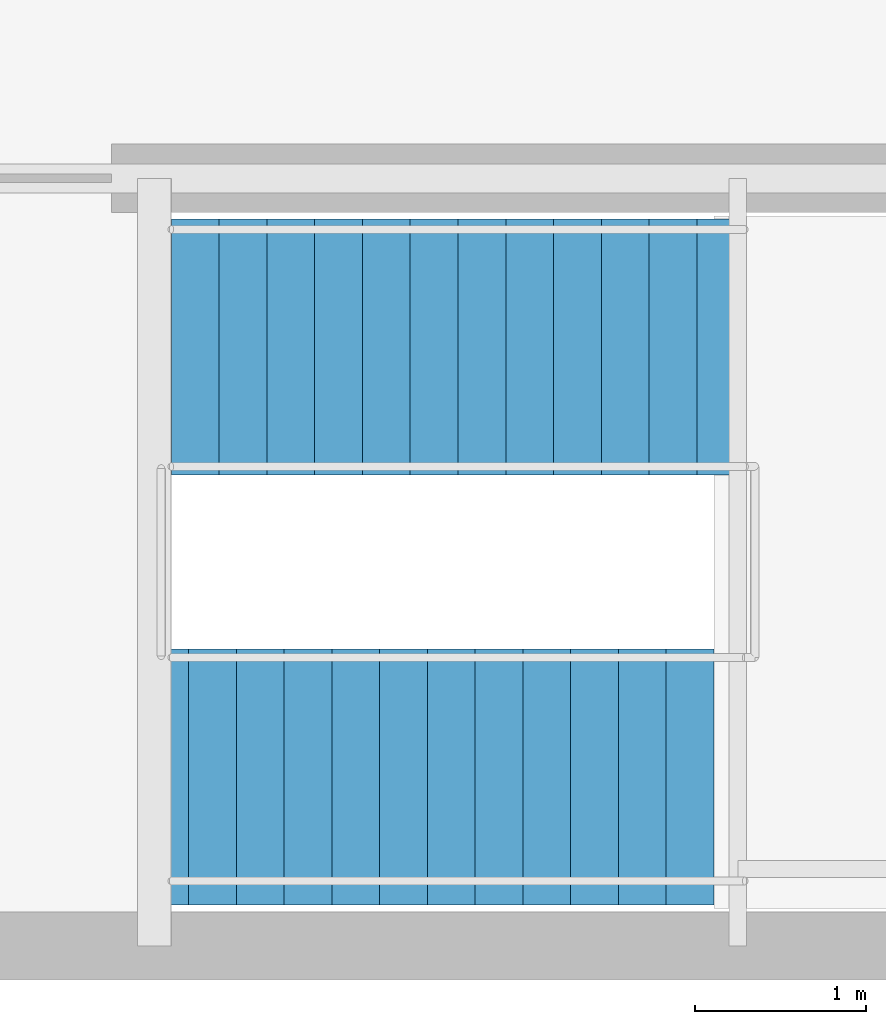
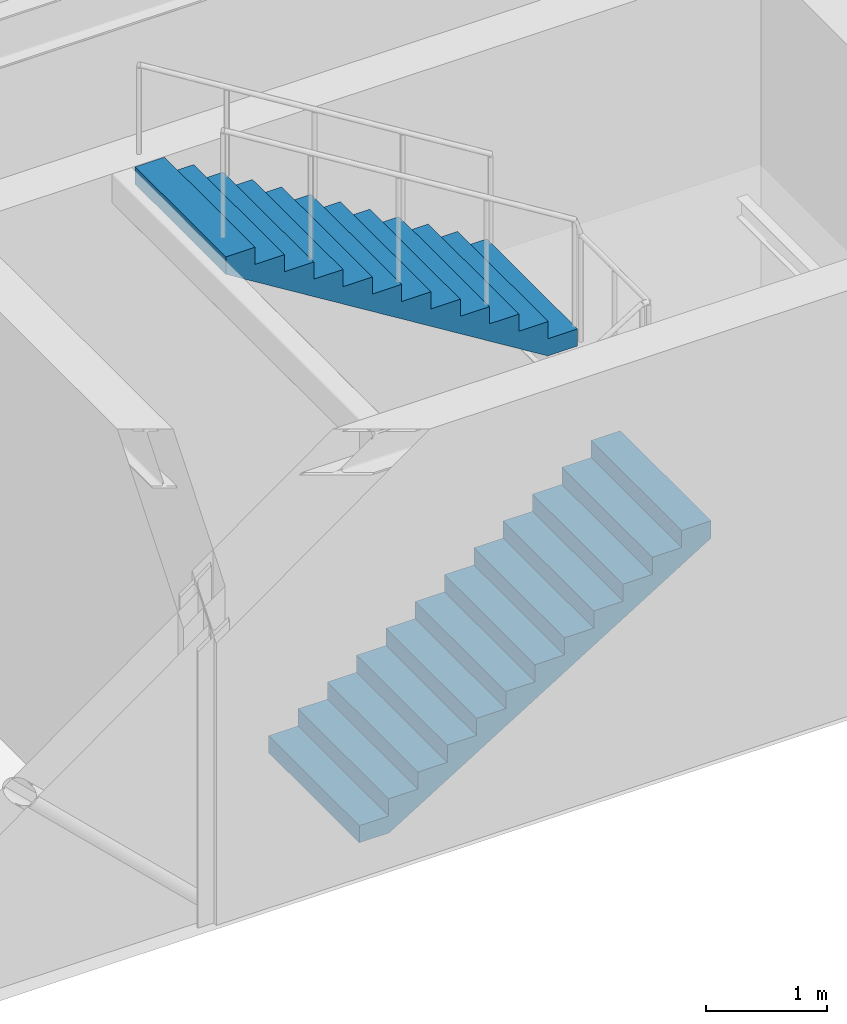
# One storey, part 11 of 12: 2 stair flights, 1 element without a shape of its own.
"""IFC4 building model written with IfcOpenShell, lengths in metres."""

from ifc_helpers import new_model, si_unit, direction, frame, origin, place, context, subcontext, project, spatial, polyline, outline, extrude, material, type_object, element, aggregate, save


model = new_model("IFC4")

# Units and contexts
model_context = context("Model", 3, precision=1e-05, world=origin(), true_north=direction((0.0, 1.0)))
body_context = subcontext(model_context, "Body", "Model", "MODEL_VIEW")
ifc_project = project(units=[si_unit("LENGTHUNIT", "METRE"), si_unit("AREAUNIT", "SQUARE_METRE"), si_unit("VOLUMEUNIT", "CUBIC_METRE"), si_unit("PLANEANGLEUNIT", "RADIAN"), si_unit("MASSUNIT", "GRAM", prefix="KILO")], contexts=[model_context])

# Site, building, storey
site_placement = place(None, origin())
site = spatial("IfcSite", under=ifc_project, at=site_placement, CompositionType="ELEMENT")
building_placement = place(site_placement, origin())
building = spatial("IfcBuilding", under=site, at=building_placement, Name="Shalkamar Park Central Library", CompositionType="ELEMENT")
storey_placement = place(building_placement, frame((0.0, 0.0, 67.800048828125)))
storey = spatial("IfcBuildingStorey", under=building, at=storey_placement, Name="L17", CompositionType="ELEMENT", Elevation=67.800048828125)

# Stair, stair flights
ifc_material = material(Name="Concrete C35/45", Category="concrete")
stair_type = type_object("IfcStairType", Name="Protected Dog Leg Stair 150x450", PredefinedType="TWO_STRAIGHT_RUN_STAIR", material=ifc_material)
stair_placement = place(storey_placement, origin())
stair = element("IfcStair", 1, at=stair_placement, inside=storey, type_object=stair_type, Name="Protected Core Stair ST-T2-L17", PredefinedType="TWO_STRAIGHT_RUN_STAIR")
stair_flight_type = type_object("IfcStairFlightType", Name="Straight Stair Flight 150x450", PredefinedType="STRAIGHT", material=ifc_material)
stair_flight_1_placement = place(storey_placement, frame((198.6201171875, 249.389892578125, 0.0), z_axis=(0.0, 0.0, 1.0), x_axis=(1.0, 0.0, 0.0)))
stair_flight_1 = element("IfcStairFlight", 2, at=stair_flight_1_placement, type_object=stair_flight_type, Name="ST-T2-L17 flight 1", NumberOfRisers=13, NumberOfTreads=12, PredefinedType="STRAIGHT", RiserHeight=0.173077, TreadLength=0.28, context=body_context, shape_type="SweptSolid", body=[
    extrude(outline(polyline([(0.0, 0.0), (0.0, 0.173095703125), (0.280029296875, 0.173095703125), (0.280029296875, 0.34619140625), (0.56005859375, 0.34619140625), (0.56005859375, 0.519287109375), (0.840087890625, 0.519287109375), (0.840087890625, 0.6923828125), (1.1201171875, 0.6923828125), (1.1201171875, 0.865478515625), (1.39990234375, 0.865478515625), (1.39990234375, 1.03857421875), (1.679931640625, 1.03857421875), (1.679931640625, 1.21142578125), (1.9599609375, 1.21142578125), (1.9599609375, 1.384521484375), (2.239990234375, 1.384521484375), (2.239990234375, 1.5576171875), (2.52001953125, 1.5576171875), (2.52001953125, 1.730712890625), (2.800048828125, 1.730712890625), (2.800048828125, 1.90380859375), (3.080078125, 1.90380859375), (3.080078125, 2.076904296875), (3.360107421875, 2.076904296875), (3.360107421875, 2.25), (3.360107421875, 1.900634765625), (0.28515625, 0.0), (0.0, 0.0)])), frame((0.0, 0.75, 0.0), z_axis=(0.0, -1.0, 0.0), x_axis=(1.0, 0.0, 0.0)), (0.0, 0.0, 1.0), 1.5),
])
stair_flight_2_placement = place(storey_placement, frame((202.159912109375, 251.909912109375, 2.25), z_axis=(0.0, 0.0, 1.0), x_axis=(-1.0, 0.0, 0.0)))
stair_flight_2 = element("IfcStairFlight", 3, at=stair_flight_2_placement, type_object=stair_flight_type, Name="ST-T2-L17 flight 2", NumberOfRisers=13, NumberOfTreads=12, PredefinedType="STRAIGHT", RiserHeight=0.173077, TreadLength=0.28, context=body_context, shape_type="SweptSolid", body=[
    extrude(outline(polyline([(0.0, 0.0), (0.0, 0.173095703125), (0.280029296875, 0.173095703125), (0.280029296875, 0.34619140625), (0.56005859375, 0.34619140625), (0.56005859375, 0.519287109375), (0.840087890625, 0.519287109375), (0.840087890625, 0.6923828125), (1.1201171875, 0.6923828125), (1.1201171875, 0.865478515625), (1.39990234375, 0.865478515625), (1.39990234375, 1.03857421875), (1.679931640625, 1.03857421875), (1.679931640625, 1.21142578125), (1.9599609375, 1.21142578125), (1.9599609375, 1.384521484375), (2.239990234375, 1.384521484375), (2.239990234375, 1.5576171875), (2.52001953125, 1.5576171875), (2.52001953125, 1.730712890625), (2.800048828125, 1.730712890625), (2.800048828125, 1.90380859375), (3.080078125, 1.90380859375), (3.080078125, 2.076904296875), (3.360107421875, 2.076904296875), (3.360107421875, 2.25), (3.360107421875, 1.900634765625), (0.28515625, 0.0), (0.0, 0.0)])), frame((0.0, 0.75, 0.0), z_axis=(0.0, -1.0, 0.0), x_axis=(1.0, 0.0, 0.0)), (0.0, 0.0, 1.0), 1.5),
])
aggregate(stair, [stair_flight_1, stair_flight_2])

save(model, "model.ifc")
